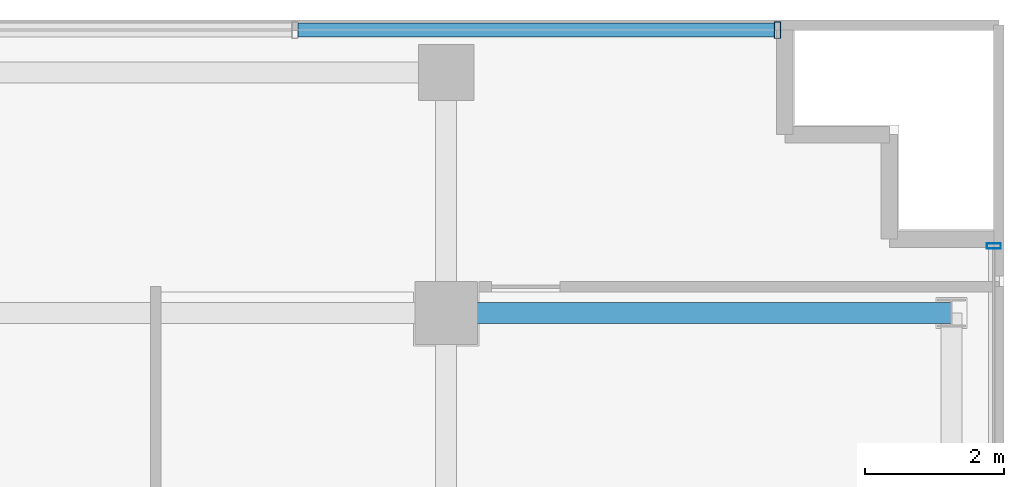
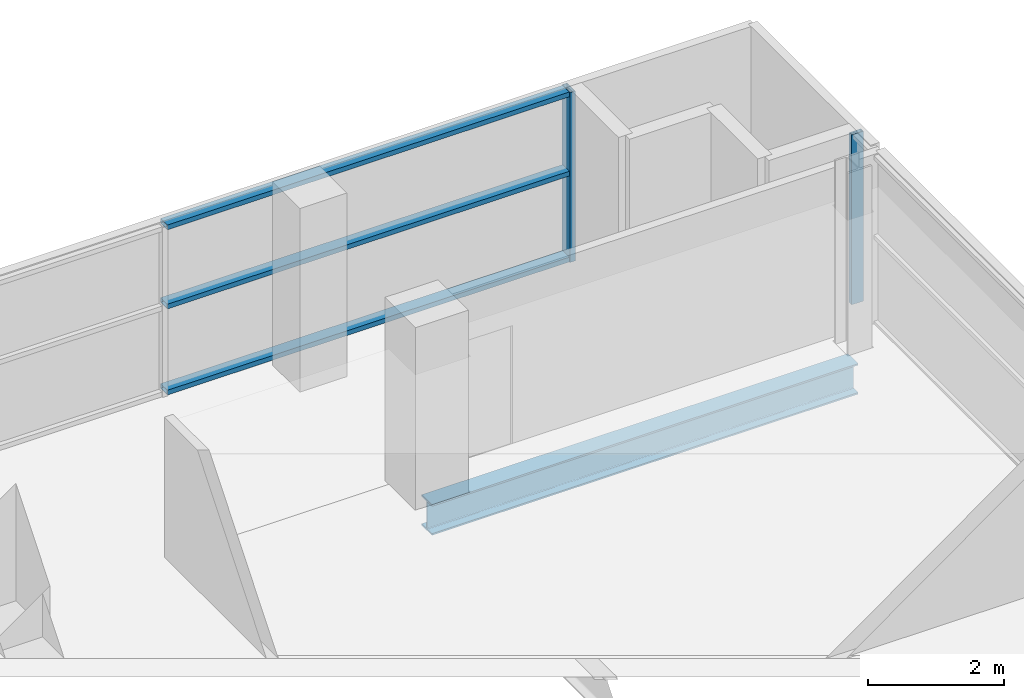
# One storey, part 13 of 23: 5 members, 1 beam, 2 elements without a shape of their own.
"""IFC4 building model written with IfcOpenShell, lengths in metres."""

from ifc_helpers import new_model, si_unit, direction, frame, origin, origin_2d, place, context, subcontext, project, spatial, hollow_rectangle, i_section, extrude, source, transform, mapped, material, layer, layer_set, material_profile, profile_set, type_object, element, aggregate, save


model = new_model("IFC4")

# Units and contexts
model_context = context("Model", 3, precision=1e-05, world=origin(), true_north=direction((0.0, 1.0)))
body_context = subcontext(model_context, "Body", "Model", "MODEL_VIEW")
ifc_project = project(units=[si_unit("LENGTHUNIT", "METRE"), si_unit("AREAUNIT", "SQUARE_METRE"), si_unit("VOLUMEUNIT", "CUBIC_METRE"), si_unit("PLANEANGLEUNIT", "RADIAN"), si_unit("MASSUNIT", "GRAM", prefix="KILO")], contexts=[model_context])

# Site, building, storey
site_placement = place(None, origin())
site = spatial("IfcSite", under=ifc_project, at=site_placement, CompositionType="ELEMENT")
building_placement = place(site_placement, origin())
building = spatial("IfcBuilding", under=site, at=building_placement, Name="Zarnakvel Exchange Tower", CompositionType="ELEMENT")
storey_placement = place(building_placement, frame((0.0, 0.0, 123.10009765625)))
storey = spatial("IfcBuildingStorey", under=building, at=storey_placement, Name="L34", CompositionType="ELEMENT", Elevation=123.10009765625)

# Beam
ifc_material_1 = material(Name="Steel S355", Category="steel")
ifc_material_profile_1 = material_profile(ifc_material_1, i_section(OverallWidth=0.300048828125, OverallDepth=0.550048828125, WebThickness=0.014892578125, FlangeThickness=0.029052734375, FilletRadius=0.027099609375, at=origin_2d()))
ifc_profile_set_1 = profile_set([ifc_material_profile_1], Name="Steel S355")
beam_type = type_object("IfcBeamType", Name="G-05", PredefinedType="BEAM", material=ifc_profile_set_1)
beam_placement = place(storey_placement, frame((21.60009765625, 13.5, -0.5), z_axis=(1.0, 0.0, 0.0), x_axis=(0.0, 1.0, 0.0)))
element("IfcBeam", 1, at=beam_placement, inside=storey, type_object=beam_type, Name="L34 Tower E-W Frame Beam", PredefinedType="BEAM", context=body_context, shape_type="SweptSolid", body=[
    extrude(i_section(OverallWidth=0.300048828125, OverallDepth=0.550048828125, WebThickness=0.014892578125, FlangeThickness=0.029052734375, FilletRadius=0.027099609375, at=origin_2d()), origin(), (0.0, 0.0, 1.0), 7.25),
])

# Curtain wall, member
ifc_material_2 = material(Name="Architectural Bronze Anodised Aluminium", Category="aluminium")
ifc_layer_1 = layer(ifc_material_2, 0.239990234375)
ifc_layer_set_1 = layer_set([ifc_layer_1], Name="Architectural Bronze Anodised Aluminium")
curtain_wall_type_1 = type_object("IfcCurtainWallType", Name="CW-02", PredefinedType="NOTDEFINED", material=ifc_layer_set_1)
curtain_wall_1_placement = place(storey_placement, origin())
curtain_wall_1 = element("IfcCurtainWall", 2, at=curtain_wall_1_placement, inside=storey, type_object=curtain_wall_type_1, Name="L34 Curtain Wall CW-L34-N1 (CW-02)", PredefinedType="NOTDEFINED")
ifc_material_profile_2 = material_profile(ifc_material_2, hollow_rectangle(XDim=0.239990234375, YDim=0.090087890625, WallThickness=0.006103515625, at=origin_2d()))
ifc_profile_set_2 = profile_set([ifc_material_profile_2], Name="Architectural Bronze Anodised Aluminium")
member_type_1 = type_object("IfcMemberType", Name="CWM-02", PredefinedType="MULLION", material=ifc_profile_set_2)
shared_shape_1 = source(origin(), body_context, "Body", "SweptSolid", [
    extrude(hollow_rectangle(XDim=0.239990234375, YDim=0.090087890625, WallThickness=0.006103515625, at=origin_2d()), origin(), (0.0, 0.0, 1.0), 3.054931640625),
])
member_1_placement = place(storey_placement, frame((26.35498046875, 17.56005859375, 0.0), z_axis=(0.0, 0.0, 1.0), x_axis=(0.0, 1.0, 0.0)))
member_1 = element("IfcMember", 3, at=member_1_placement, type_object=member_type_1, Name="CW-02 mullion 8", PredefinedType="MULLION", context=body_context, shape_type="MappedRepresentation", body=[
    mapped(shared_shape_1, transform((0.0, 0.0, 0.0), x_axis=(1.0, 0.0, 0.0), y_axis=(0.0, 1.0, 0.0), z_axis=(0.0, 0.0, 1.0), scale=1.0)),
])

ifc_layer_2 = layer(ifc_material_2, 0.199951171875)
ifc_layer_set_2 = layer_set([ifc_layer_2], Name="Architectural Bronze Anodised Aluminium")
curtain_wall_type_2 = type_object("IfcCurtainWallType", Name="CW-04", PredefinedType="NOTDEFINED", material=ifc_layer_set_2)
curtain_wall_2_placement = place(storey_placement, origin())
curtain_wall_2 = element("IfcCurtainWall", 4, at=curtain_wall_2_placement, inside=storey, type_object=curtain_wall_type_2, Name="L34 Curtain Wall CW-L34-E1 (CW-04)", PredefinedType="NOTDEFINED")
ifc_material_profile_3 = material_profile(ifc_material_2, hollow_rectangle(XDim=0.199951171875, YDim=0.074951171875, WallThickness=0.0048828125, at=origin_2d()))
ifc_profile_set_3 = profile_set([ifc_material_profile_3], Name="Architectural Bronze Anodised Aluminium")
member_type_2 = type_object("IfcMemberType", Name="CWM-04", PredefinedType="MULLION", material=ifc_profile_set_3)
shared_shape_2 = source(origin(), body_context, "Body", "SweptSolid", [
    extrude(hollow_rectangle(XDim=0.199951171875, YDim=0.074951171875, WallThickness=0.0048828125, at=origin_2d()), origin(), (0.0, 0.0, 1.0), 3.054931640625),
])
member_2_placement = place(storey_placement, frame((29.4599609375, 14.46240234375, 0.0), z_axis=(0.0, 0.0, 1.0), x_axis=(-1.0, 0.0, 0.0)))
member_2 = element("IfcMember", 5, at=member_2_placement, type_object=member_type_2, Name="CW-04 mullion 5", PredefinedType="MULLION", context=body_context, shape_type="MappedRepresentation", body=[
    mapped(shared_shape_2, transform((0.0, 0.0, 0.0), x_axis=(1.0, 0.0, 0.0), y_axis=(0.0, 1.0, 0.0), z_axis=(0.0, 0.0, 1.0), scale=1.0)),
])
aggregate(curtain_wall_2, [member_2])

# Member
ifc_material_profile_4 = material_profile(ifc_material_2, hollow_rectangle(XDim=0.199951171875, YDim=0.0849609375, WallThickness=0.0048828125, at=origin_2d()))
ifc_profile_set_4 = profile_set([ifc_material_profile_4], Name="Architectural Bronze Anodised Aluminium")
member_type_3 = type_object("IfcMemberType", Name="CWT-02", PredefinedType="USERDEFINED", material=ifc_profile_set_4)
shared_shape_3 = source(origin(), body_context, "Body", "SweptSolid", [
    extrude(hollow_rectangle(XDim=0.199951171875, YDim=0.0849609375, WallThickness=0.0048828125, at=origin_2d()), origin(), (0.0, 0.0, 1.0), 6.83642578125),
])
member_3_placement = place(storey_placement, frame((19.4736328125, 17.56005859375, 0.04248046875), z_axis=(1.0, 0.0, 0.0), x_axis=(0.0, 1.0, 0.0)))
member_3 = element("IfcMember", 6, at=member_3_placement, type_object=member_type_3, Name="CW-02 transom 7.1", ObjectType="TRANSOM", PredefinedType="USERDEFINED", context=body_context, shape_type="MappedRepresentation", body=[
    mapped(shared_shape_3, transform((0.0, 0.0, 0.0), x_axis=(1.0, 0.0, 0.0), y_axis=(0.0, 1.0, 0.0), z_axis=(0.0, 0.0, 1.0), scale=1.0)),
])

member_4_placement = place(storey_placement, frame((19.4736328125, 17.56005859375, 1.588623046875), z_axis=(1.0, 0.0, 0.0), x_axis=(0.0, 1.0, 0.0)))
member_4 = element("IfcMember", 7, at=member_4_placement, type_object=member_type_3, Name="CW-02 transom 7.2", ObjectType="TRANSOM", PredefinedType="USERDEFINED", context=body_context, shape_type="MappedRepresentation", body=[
    mapped(shared_shape_3, transform((0.0, 0.0, 0.0), x_axis=(1.0, 0.0, 0.0), y_axis=(0.0, 1.0, 0.0), z_axis=(0.0, 0.0, 1.0), scale=1.0)),
])

member_5_placement = place(storey_placement, frame((19.4736328125, 17.56005859375, 3.012451171875), z_axis=(1.0, 0.0, 0.0), x_axis=(0.0, 1.0, 0.0)))
member_5 = element("IfcMember", 8, at=member_5_placement, type_object=member_type_3, Name="CW-02 transom 7.3", ObjectType="TRANSOM", PredefinedType="USERDEFINED", context=body_context, shape_type="MappedRepresentation", body=[
    mapped(shared_shape_3, transform((0.0, 0.0, 0.0), x_axis=(1.0, 0.0, 0.0), y_axis=(0.0, 1.0, 0.0), z_axis=(0.0, 0.0, 1.0), scale=1.0)),
])

aggregate(curtain_wall_1, [member_1, member_3, member_4, member_5])

save(model, "model.ifc")
